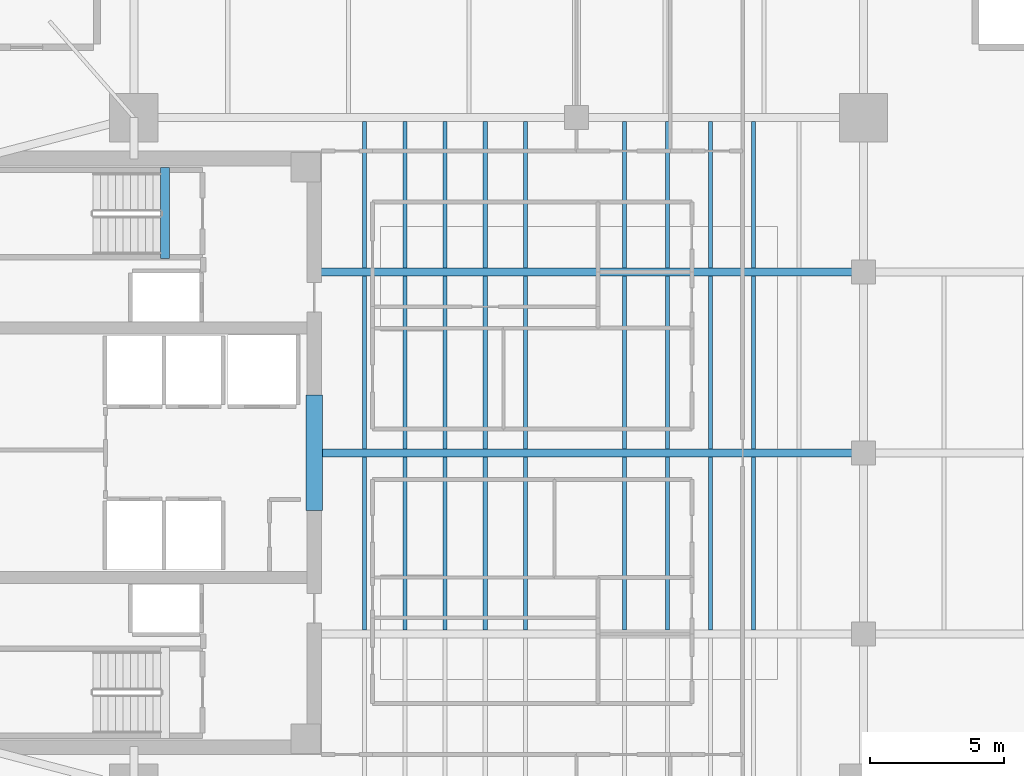
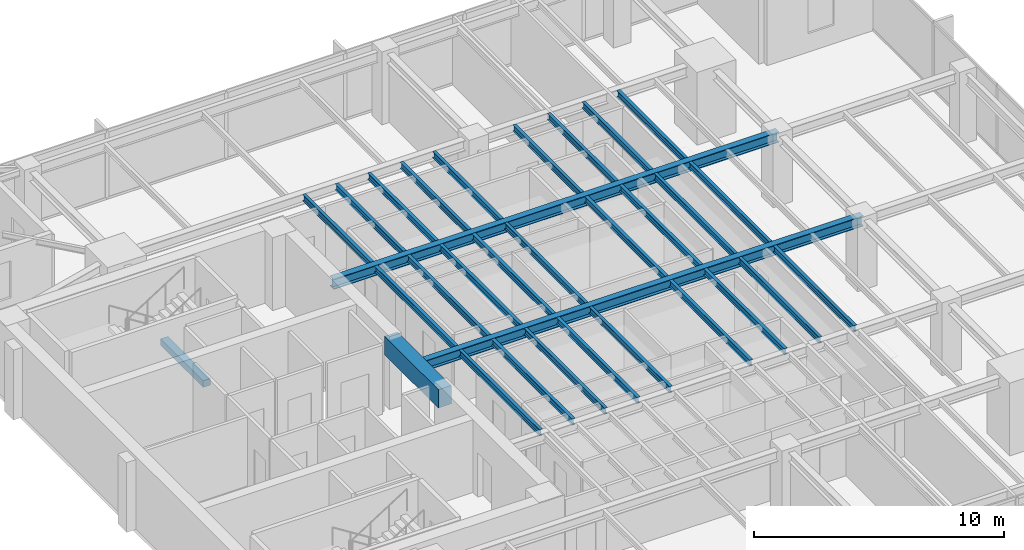
# One storey, part 3 of 14: 31 beams.
"""IFC4 building model written with IfcOpenShell, lengths in metres."""

import ifcopenshell
import ifcopenshell.guid

model = None  # the IFC model being written
_history = None  # IfcOwnerHistory: only IFC2X3 demands one
_inside = {}  # id of a spatial element -> (the spatial element, [elements in it])
_under = {}  # id of a project, library or spatial element -> (it, [spatial elements below it])
_declared = {}  # id of a project -> (the project, [libraries it declares])
_typed = {}  # id of a type object -> (the type object, [elements of that type])
_made_of = {}  # id of a material, layer set ... -> (it, [elements and type objects made of it])


def new_model(schema):
    """Start an empty IFC model of exactly this schema.

    Asked for "IFC4X3", IfcOpenShell would pick the latest addendum, in which some entities
    have other attributes; the version numbers below select the first issue.
    IFC2X3 requires an IfcOwnerHistory on every rooted entity: one is made here for all.
    """
    global model, _history
    if schema == "IFC4X3":
        model = ifcopenshell.file(schema_version=(4, 3, 0, 0))
    else:
        model = ifcopenshell.file(schema=schema)
    _inside.clear()
    _under.clear()
    _declared.clear()
    _typed.clear()
    _made_of.clear()
    _history = None
    if model.schema == "IFC2X3":
        org = make("IfcOrganization", Name="unknown")
        user = make(
            "IfcPersonAndOrganization",
            ThePerson=make("IfcPerson", FamilyName="unknown"),
            TheOrganization=org,
        )
        app = make(
            "IfcApplication",
            ApplicationDeveloper=org,
            Version="unknown",
            ApplicationFullName="unknown",
            ApplicationIdentifier="unknown",
        )
        _history = make(
            "IfcOwnerHistory",
            OwningUser=user,
            OwningApplication=app,
            ChangeAction="ADDED",
            CreationDate=0,
        )
    return model


def make(cls, **values):
    """One entity of the class cls with the attributes given. An attribute that is None is left unset."""
    return model.create_entity(
        cls, **{name: value for name, value in values.items() if value is not None}
    )


def rooted(cls, **values):
    """An entity with a GlobalId (a new one), such as an element, a storey or a relation."""
    return make(cls, GlobalId=ifcopenshell.guid.new(), OwnerHistory=_history, **values)


def si_unit(unit_type, name, prefix=None):
    """IfcSIUnit, for example si_unit("LENGTHUNIT", "METRE", prefix="MILLI")."""
    return make("IfcSIUnit", UnitType=unit_type, Prefix=prefix, Name=name)


def assignment(units):
    """IfcUnitAssignment: the units of a project."""
    return None if units is None else make("IfcUnitAssignment", Units=units)


def point(xyz):
    """IfcCartesianPoint."""
    return None if xyz is None else make("IfcCartesianPoint", Coordinates=xyz)


def direction(xyz):
    """IfcDirection."""
    return None if xyz is None else make("IfcDirection", DirectionRatios=xyz)


def frame(location, z_axis=None, x_axis=None):
    """IfcAxis2Placement3D, a coordinate frame: its origin and axes. An axis left out is left unset."""
    return make(
        "IfcAxis2Placement3D",
        Location=point(location),
        Axis=direction(z_axis),
        RefDirection=direction(x_axis),
    )


def frame_2d(location, x_axis=None):
    """IfcAxis2Placement2D, a coordinate frame in the plane: its origin and x axis."""
    return make(
        "IfcAxis2Placement2D", Location=point(location), RefDirection=direction(x_axis)
    )


def origin():
    """The frame at (0, 0, 0) with its axes left unset."""
    return frame((0.0, 0.0, 0.0))


def origin_2d():
    """The frame at (0, 0) in the plane with its x axis left unset."""
    return frame_2d((0.0, 0.0))


def place(relative_to, where):
    """IfcLocalPlacement: puts the frame where relative to a parent placement (None: the world)."""
    return make(
        "IfcLocalPlacement", PlacementRelTo=relative_to, RelativePlacement=where
    )


def context(
    kind, dimensions, precision=None, world=None, true_north=None, identifier=None
):
    """IfcGeometricRepresentationContext, for example the 3D "Model" context."""
    return make(
        "IfcGeometricRepresentationContext",
        ContextIdentifier=identifier,
        ContextType=kind,
        CoordinateSpaceDimension=dimensions,
        Precision=precision,
        WorldCoordinateSystem=world,
        TrueNorth=true_north,
    )


def subcontext(parent, identifier, kind, view, scale=None):
    """IfcGeometricRepresentationSubContext, for example "Body" below "Model"."""
    return make(
        "IfcGeometricRepresentationSubContext",
        ContextIdentifier=identifier,
        ContextType=kind,
        ParentContext=parent,
        TargetScale=scale,
        TargetView=view,
    )


def project(units=None, contexts=None):
    """IfcProject with its units and contexts."""
    return rooted(
        "IfcProject",
        Name="project",
        RepresentationContexts=contexts,
        UnitsInContext=assignment(units),
    )


def spatial(cls, under=None, at=None, **own):
    """A site, building, storey or space (cls), placed at a placement, below another one or the project."""
    s = rooted(cls, ObjectPlacement=at, **own)
    if under is not None:
        _under.setdefault(under.id(), (under, []))[1].append(s)
    return s


def profile(cls, at=None, kind="AREA", **sizes):
    """A parametric profile (cls). Its sizes go by their IFC names, for example OverallWidth=200.0."""
    return make(cls, ProfileType=kind, Position=at, **sizes)


def rectangle(**sizes):
    """IfcRectangleProfileDef."""
    return profile("IfcRectangleProfileDef", **sizes)


def i_section(**sizes):
    """IfcIShapeProfileDef."""
    return profile("IfcIShapeProfileDef", **sizes)


def extrude(swept, where, along, depth):
    """IfcExtrudedAreaSolid: the profile swept, set in the frame where, extruded along a direction by depth."""
    return make(
        "IfcExtrudedAreaSolid",
        SweptArea=swept,
        Position=where,
        ExtrudedDirection=direction(along),
        Depth=depth,
    )


def shape(context_of_items, identifier, shape_type, items):
    """IfcShapeRepresentation: the items that make up one representation, for example the "Body"."""
    return make(
        "IfcShapeRepresentation",
        ContextOfItems=context_of_items,
        RepresentationIdentifier=identifier,
        RepresentationType=shape_type,
        Items=items,
    )


def material(Name=None, Category=None):
    """IfcMaterial."""
    return make("IfcMaterial", Name=Name, Category=Category)


def material_profile(
    of_material, cross_section, Name=None, Category=None, Priority=None
):
    """IfcMaterialProfile: a cross section and its material."""
    return make(
        "IfcMaterialProfile",
        Name=Name,
        Material=of_material,
        Profile=cross_section,
        Priority=Priority,
        Category=Category,
    )


def profile_set(profiles, Name=None, composite=None):
    """IfcMaterialProfileSet."""
    return make(
        "IfcMaterialProfileSet",
        Name=Name,
        MaterialProfiles=profiles,
        CompositeProfile=composite,
    )


def made_of(thing, what):
    """Note that an element or type object is made of a material, layer set ...; save() writes the relation."""
    if what is not None:
        _made_of.setdefault(what.id(), (what, []))[1].append(thing)
    return thing


def type_object(cls, material=None, **own):
    """A type object (cls), such as IfcWallType, which elements share."""
    return made_of(rooted(cls, **own), material)


def element(
    cls,
    number,
    at=None,
    inside=None,
    cuts=None,
    type_object=None,
    material=None,
    context=None,
    identifier="Body",
    shape_type=None,
    held_by="IfcProductDefinitionShape",
    body=None,
    shapes=None,
    **own,
):
    """One element of the class cls, such as IfcWall. Its Tag is "e" and its number.

    at: its placement. inside: the storey or other place that contains it. cuts: it is an
    opening in that element (IfcRelVoidsElement). A single representation is given by context,
    identifier, shape_type and body (its items); several are given by shapes. held_by: the class
    of the entity that holds the representations. save() writes the other relations.
    """
    e = rooted(cls, Tag="e%d" % number, ObjectPlacement=at, **own)
    if body is not None:
        shapes = [shape(context, identifier, shape_type, body)]
    if shapes is not None:
        e.Representation = make(held_by, Representations=shapes)
    if inside is not None:
        _inside.setdefault(inside.id(), (inside, []))[1].append(e)
    if cuts is not None:
        rooted(
            "IfcRelVoidsElement", RelatingBuildingElement=cuts, RelatedOpeningElement=e
        )
    if type_object is not None:
        _typed.setdefault(type_object.id(), (type_object, []))[1].append(e)
    return made_of(e, material)


def aggregate(whole, parts):
    """IfcRelAggregates: a whole, such as a stair, and the parts it consists of."""
    return rooted("IfcRelAggregates", RelatingObject=whole, RelatedObjects=parts)


def save(model, path):
    """Write the relations noted so far, then the file.

    IfcRelAggregates (storeys below a building ...), IfcRelContainedInSpatialStructure (elements
    in a storey), IfcRelDefinesByType, IfcRelAssociatesMaterial and IfcRelDeclares: one each for
    every whole, place, type object, material and project.
    """
    for whole, parts in _under.values():
        aggregate(whole, parts)
    for where, things in _inside.values():
        rooted(
            "IfcRelContainedInSpatialStructure",
            RelatedElements=things,
            RelatingStructure=where,
        )
    for kind, things in _typed.values():
        rooted("IfcRelDefinesByType", RelatedObjects=things, RelatingType=kind)
    for what, things in _made_of.values():
        rooted("IfcRelAssociatesMaterial", RelatedObjects=things, RelatingMaterial=what)
    for by, libraries in _declared.values():
        rooted("IfcRelDeclares", RelatingContext=by, RelatedDefinitions=libraries)
    model.write(path)


model = new_model("IFC4")

# Units and contexts
model_context = context("Model", 3, precision=1e-05, world=origin(), true_north=direction((0.0, 1.0)))
body_context = subcontext(model_context, "Body", "Model", "MODEL_VIEW")
ifc_project = project(units=[si_unit("LENGTHUNIT", "METRE"), si_unit("AREAUNIT", "SQUARE_METRE"), si_unit("VOLUMEUNIT", "CUBIC_METRE"), si_unit("PLANEANGLEUNIT", "RADIAN"), si_unit("MASSUNIT", "GRAM", prefix="KILO")], contexts=[model_context])

# Site, building, storey
site_placement = place(None, origin())
site = spatial("IfcSite", under=ifc_project, at=site_placement, CompositionType="ELEMENT")
building_placement = place(site_placement, origin())
building = spatial("IfcBuilding", under=site, at=building_placement, Name="Kinhvarn Gate Tower", CompositionType="ELEMENT")
storey_placement = place(building_placement, frame((0.0, 0.0, 212.89990234375)))
storey = spatial("IfcBuildingStorey", under=building, at=storey_placement, Name="L56", CompositionType="ELEMENT", Elevation=212.89990234375)

# Beams
ifc_material_1 = material(Name="Concrete C60/75", Category="concrete")
ifc_material_profile_1 = material_profile(ifc_material_1, rectangle(XDim=0.60009765625, YDim=0.89990234375, at=origin_2d()), Name="RC 600x900")
ifc_profile_set_1 = profile_set([ifc_material_profile_1], Name="Concrete C60/75")
beam_type_1 = type_object("IfcBeamType", Name="BM-CB-900", PredefinedType="LINTEL", material=ifc_profile_set_1)
beam_1_placement = place(storey_placement, frame((17.72509765625, 23.10009765625, 2.920166015625), z_axis=(0.0, 1.0, 0.0), x_axis=(-1.0, 0.0, 0.0)))
element("IfcBeam", 1, at=beam_1_placement, inside=storey, type_object=beam_type_1, Name="Core East Portal Coupling Beam L56", PredefinedType="LINTEL", context=body_context, shape_type="SweptSolid", body=[
    extrude(rectangle(XDim=0.60009765625, YDim=0.89990234375, at=origin_2d()), origin(), (0.0, 0.0, 1.0), 4.2998046875),
])
ifc_material_2 = material(Name="Concrete C50/60", Category="concrete")
ifc_material_profile_2 = material_profile(ifc_material_2, rectangle(XDim=0.340087890625, YDim=0.320068359375, at=origin_2d()), Name="RC 340x320")
ifc_profile_set_2 = profile_set([ifc_material_profile_2], Name="Concrete C50/60")
beam_type_2 = type_object("IfcBeamType", Name="BM-LND-500", PredefinedType="BEAM", material=ifc_profile_set_2)
beam_2_placement = place(storey_placement, frame((12.1650390625, 32.5, -0.159912109375), z_axis=(0.0, 1.0, 0.0), x_axis=(-1.0, 0.0, 0.0)))
element("IfcBeam", 2, at=beam_2_placement, inside=storey, type_object=beam_type_2, Name="Stair ST2 Landing Nosing Beam (L56)", PredefinedType="BEAM", context=body_context, shape_type="SweptSolid", body=[
    extrude(rectangle(XDim=0.340087890625, YDim=0.320068359375, at=origin_2d()), origin(), (0.0, 0.0, 1.0), 3.39990234375),
])
ifc_material_3 = material(Name="Steel S355", Category="steel")
ifc_material_profile_3 = material_profile(ifc_material_3, i_section(OverallWidth=0.300048828125, OverallDepth=0.5, WebThickness=0.014404296875, FlangeThickness=0.028076171875, at=origin_2d()), Name="HEB 500")
ifc_profile_set_3 = profile_set([ifc_material_profile_3], Name="Steel S355")
beam_type_3 = type_object("IfcBeamType", Name="STL-HEB500", PredefinedType="BEAM", material=ifc_profile_set_3)
beam_3_placement = place(storey_placement, frame((18.02490234375, 25.25, 3.1201171875), z_axis=(1.0, 0.0, 0.0), x_axis=(0.0, 1.0, 0.0)))
element("IfcBeam", 3, at=beam_3_placement, inside=storey, type_object=beam_type_3, Name="Floor Beam PG-14 (L56 EW1-Y25)", PredefinedType="BEAM", context=body_context, shape_type="SweptSolid", body=[
    extrude(i_section(OverallWidth=0.300048828125, OverallDepth=0.5, WebThickness=0.014404296875, FlangeThickness=0.028076171875, at=origin_2d()), origin(), (0.0, 0.0, 1.0), 20.175048828125),
])
beam_4_placement = place(storey_placement, frame((17.64990234375, 32.0, 3.1201171875), z_axis=(1.0, 0.0, 0.0), x_axis=(0.0, 1.0, 0.0)))
element("IfcBeam", 4, at=beam_4_placement, inside=storey, type_object=beam_type_3, Name="Floor Beam PG-14 (L56 EW1-Y32)", PredefinedType="BEAM", context=body_context, shape_type="SweptSolid", body=[
    extrude(i_section(OverallWidth=0.300048828125, OverallDepth=0.5, WebThickness=0.014404296875, FlangeThickness=0.028076171875, at=origin_2d()), origin(), (0.0, 0.0, 1.0), 20.550048828125),
])
ifc_material_profile_4 = material_profile(ifc_material_3, i_section(OverallWidth=0.14990234375, OverallDepth=0.300048828125, WebThickness=0.007080078125, FlangeThickness=0.0107421875, at=origin_2d()), Name="IPE 300")
ifc_profile_set_4 = profile_set([ifc_material_profile_4], Name="Steel S355")
beam_type_4 = type_object("IfcBeamType", Name="STL-IPE300", PredefinedType="JOIST", material=ifc_profile_set_4)
for number, where, z_axis, x_axis, name in (
    (5, (19.60009765625, 18.64990234375, 3.22021484375), (0.0, 1.0, 0.0), (-1.0, 0.0, 0.0), "Floor Joist SB-02 (L56 JC-X196-1)"),
    (6, (19.60009765625, 25.39990234375, 3.22021484375), (0.0, 1.0, 0.0), (-1.0, 0.0, 0.0), "Floor Joist SB-02 (L56 JC-X196-2)"),
):
    element("IfcBeam", number, at=place(storey_placement, frame(where, z_axis=z_axis, x_axis=x_axis)), inside=storey, type_object=beam_type_4, Name=name, PredefinedType="JOIST", context=body_context, shape_type="SweptSolid", body=[
        extrude(i_section(OverallWidth=0.14990234375, OverallDepth=0.300048828125, WebThickness=0.007080078125, FlangeThickness=0.0107421875, at=origin_2d()), origin(), (0.0, 0.0, 1.0), 6.4501953125),
    ])
beam_5_placement = place(storey_placement, frame((19.60009765625, 32.14990234375, 3.22021484375), z_axis=(0.0, 1.0, 0.0), x_axis=(-1.0, 0.0, 0.0)))
element("IfcBeam", 7, at=beam_5_placement, inside=storey, type_object=beam_type_4, Name="Floor Joist SB-02 (L56 JC-X196-3)", PredefinedType="JOIST", context=body_context, shape_type="SweptSolid", body=[
    extrude(i_section(OverallWidth=0.14990234375, OverallDepth=0.300048828125, WebThickness=0.007080078125, FlangeThickness=0.0107421875, at=origin_2d()), origin(), (0.0, 0.0, 1.0), 5.4501953125),
])
for number, where, z_axis, x_axis, name in (
    (8, (21.10009765625, 18.64990234375, 3.22021484375), (0.0, 1.0, 0.0), (-1.0, 0.0, 0.0), "Floor Joist SB-02 (L56 JC-X211-1)"),
    (9, (21.10009765625, 25.39990234375, 3.22021484375), (0.0, 1.0, 0.0), (-1.0, 0.0, 0.0), "Floor Joist SB-02 (L56 JC-X211-2)"),
):
    element("IfcBeam", number, at=place(storey_placement, frame(where, z_axis=z_axis, x_axis=x_axis)), inside=storey, type_object=beam_type_4, Name=name, PredefinedType="JOIST", context=body_context, shape_type="SweptSolid", body=[
        extrude(i_section(OverallWidth=0.14990234375, OverallDepth=0.300048828125, WebThickness=0.007080078125, FlangeThickness=0.0107421875, at=origin_2d()), origin(), (0.0, 0.0, 1.0), 6.4501953125),
    ])
beam_6_placement = place(storey_placement, frame((21.10009765625, 32.14990234375, 3.22021484375), z_axis=(0.0, 1.0, 0.0), x_axis=(-1.0, 0.0, 0.0)))
element("IfcBeam", 10, at=beam_6_placement, inside=storey, type_object=beam_type_4, Name="Floor Joist SB-02 (L56 JC-X211-3)", PredefinedType="JOIST", context=body_context, shape_type="SweptSolid", body=[
    extrude(i_section(OverallWidth=0.14990234375, OverallDepth=0.300048828125, WebThickness=0.007080078125, FlangeThickness=0.0107421875, at=origin_2d()), origin(), (0.0, 0.0, 1.0), 5.4501953125),
])
for number, where, z_axis, x_axis, name in (
    (11, (22.60009765625, 18.64990234375, 3.22021484375), (0.0, 1.0, 0.0), (-1.0, 0.0, 0.0), "Floor Joist SB-02 (L56 JC-X226-1)"),
    (12, (22.60009765625, 25.39990234375, 3.22021484375), (0.0, 1.0, 0.0), (-1.0, 0.0, 0.0), "Floor Joist SB-02 (L56 JC-X226-2)"),
):
    element("IfcBeam", number, at=place(storey_placement, frame(where, z_axis=z_axis, x_axis=x_axis)), inside=storey, type_object=beam_type_4, Name=name, PredefinedType="JOIST", context=body_context, shape_type="SweptSolid", body=[
        extrude(i_section(OverallWidth=0.14990234375, OverallDepth=0.300048828125, WebThickness=0.007080078125, FlangeThickness=0.0107421875, at=origin_2d()), origin(), (0.0, 0.0, 1.0), 6.4501953125),
    ])
beam_7_placement = place(storey_placement, frame((22.60009765625, 32.14990234375, 3.22021484375), z_axis=(0.0, 1.0, 0.0), x_axis=(-1.0, 0.0, 0.0)))
element("IfcBeam", 13, at=beam_7_placement, inside=storey, type_object=beam_type_4, Name="Floor Joist SB-02 (L56 JC-X226-3)", PredefinedType="JOIST", context=body_context, shape_type="SweptSolid", body=[
    extrude(i_section(OverallWidth=0.14990234375, OverallDepth=0.300048828125, WebThickness=0.007080078125, FlangeThickness=0.0107421875, at=origin_2d()), origin(), (0.0, 0.0, 1.0), 5.4501953125),
])
for number, where, z_axis, x_axis, name in (
    (14, (24.10009765625, 18.64990234375, 3.22021484375), (0.0, 1.0, 0.0), (-1.0, 0.0, 0.0), "Floor Joist SB-02 (L56 JC-X241-1)"),
    (15, (24.10009765625, 25.39990234375, 3.22021484375), (0.0, 1.0, 0.0), (-1.0, 0.0, 0.0), "Floor Joist SB-02 (L56 JC-X241-2)"),
):
    element("IfcBeam", number, at=place(storey_placement, frame(where, z_axis=z_axis, x_axis=x_axis)), inside=storey, type_object=beam_type_4, Name=name, PredefinedType="JOIST", context=body_context, shape_type="SweptSolid", body=[
        extrude(i_section(OverallWidth=0.14990234375, OverallDepth=0.300048828125, WebThickness=0.007080078125, FlangeThickness=0.0107421875, at=origin_2d()), origin(), (0.0, 0.0, 1.0), 6.4501953125),
    ])
beam_8_placement = place(storey_placement, frame((24.10009765625, 32.14990234375, 3.22021484375), z_axis=(0.0, 1.0, 0.0), x_axis=(-1.0, 0.0, 0.0)))
element("IfcBeam", 16, at=beam_8_placement, inside=storey, type_object=beam_type_4, Name="Floor Joist SB-02 (L56 JC-X241-3)", PredefinedType="JOIST", context=body_context, shape_type="SweptSolid", body=[
    extrude(i_section(OverallWidth=0.14990234375, OverallDepth=0.300048828125, WebThickness=0.007080078125, FlangeThickness=0.0107421875, at=origin_2d()), origin(), (0.0, 0.0, 1.0), 5.4501953125),
])
for number, where, z_axis, x_axis, name in (
    (17, (25.60009765625, 18.64990234375, 3.22021484375), (0.0, 1.0, 0.0), (-1.0, 0.0, 0.0), "Floor Joist SB-02 (L56 JC-X256-1)"),
    (18, (25.60009765625, 25.39990234375, 3.22021484375), (0.0, 1.0, 0.0), (-1.0, 0.0, 0.0), "Floor Joist SB-02 (L56 JC-X256-2)"),
):
    element("IfcBeam", number, at=place(storey_placement, frame(where, z_axis=z_axis, x_axis=x_axis)), inside=storey, type_object=beam_type_4, Name=name, PredefinedType="JOIST", context=body_context, shape_type="SweptSolid", body=[
        extrude(i_section(OverallWidth=0.14990234375, OverallDepth=0.300048828125, WebThickness=0.007080078125, FlangeThickness=0.0107421875, at=origin_2d()), origin(), (0.0, 0.0, 1.0), 6.4501953125),
    ])
beam_9_placement = place(storey_placement, frame((25.60009765625, 32.14990234375, 3.22021484375), z_axis=(0.0, 1.0, 0.0), x_axis=(-1.0, 0.0, 0.0)))
element("IfcBeam", 19, at=beam_9_placement, inside=storey, type_object=beam_type_4, Name="Floor Joist SB-02 (L56 JC-X256-3)", PredefinedType="JOIST", context=body_context, shape_type="SweptSolid", body=[
    extrude(i_section(OverallWidth=0.14990234375, OverallDepth=0.300048828125, WebThickness=0.007080078125, FlangeThickness=0.0107421875, at=origin_2d()), origin(), (0.0, 0.0, 1.0), 5.4501953125),
])
for number, where, z_axis, x_axis, name in (
    (20, (29.300048828125, 18.64990234375, 3.22021484375), (0.0, 1.0, 0.0), (-1.0, 0.0, 0.0), "Floor Joist SB-02 (L56 JC-X293-1)"),
    (21, (29.300048828125, 25.39990234375, 3.22021484375), (0.0, 1.0, 0.0), (-1.0, 0.0, 0.0), "Floor Joist SB-02 (L56 JC-X293-2)"),
):
    element("IfcBeam", number, at=place(storey_placement, frame(where, z_axis=z_axis, x_axis=x_axis)), inside=storey, type_object=beam_type_4, Name=name, PredefinedType="JOIST", context=body_context, shape_type="SweptSolid", body=[
        extrude(i_section(OverallWidth=0.14990234375, OverallDepth=0.300048828125, WebThickness=0.007080078125, FlangeThickness=0.0107421875, at=origin_2d()), origin(), (0.0, 0.0, 1.0), 6.4501953125),
    ])
beam_10_placement = place(storey_placement, frame((29.300048828125, 32.14990234375, 3.22021484375), z_axis=(0.0, 1.0, 0.0), x_axis=(-1.0, 0.0, 0.0)))
element("IfcBeam", 22, at=beam_10_placement, inside=storey, type_object=beam_type_4, Name="Floor Joist SB-02 (L56 JC-X293-3)", PredefinedType="JOIST", context=body_context, shape_type="SweptSolid", body=[
    extrude(i_section(OverallWidth=0.14990234375, OverallDepth=0.300048828125, WebThickness=0.007080078125, FlangeThickness=0.0107421875, at=origin_2d()), origin(), (0.0, 0.0, 1.0), 5.4501953125),
])
for number, where, z_axis, x_axis, name in (
    (23, (30.89990234375, 18.64990234375, 3.22021484375), (0.0, 1.0, 0.0), (-1.0, 0.0, 0.0), "Floor Joist SB-02 (L56 JC-X309-1)"),
    (24, (30.89990234375, 25.39990234375, 3.22021484375), (0.0, 1.0, 0.0), (-1.0, 0.0, 0.0), "Floor Joist SB-02 (L56 JC-X309-2)"),
):
    element("IfcBeam", number, at=place(storey_placement, frame(where, z_axis=z_axis, x_axis=x_axis)), inside=storey, type_object=beam_type_4, Name=name, PredefinedType="JOIST", context=body_context, shape_type="SweptSolid", body=[
        extrude(i_section(OverallWidth=0.14990234375, OverallDepth=0.300048828125, WebThickness=0.007080078125, FlangeThickness=0.0107421875, at=origin_2d()), origin(), (0.0, 0.0, 1.0), 6.4501953125),
    ])
beam_11_placement = place(storey_placement, frame((30.89990234375, 32.14990234375, 3.22021484375), z_axis=(0.0, 1.0, 0.0), x_axis=(-1.0, 0.0, 0.0)))
element("IfcBeam", 25, at=beam_11_placement, inside=storey, type_object=beam_type_4, Name="Floor Joist SB-02 (L56 JC-X309-3)", PredefinedType="JOIST", context=body_context, shape_type="SweptSolid", body=[
    extrude(i_section(OverallWidth=0.14990234375, OverallDepth=0.300048828125, WebThickness=0.007080078125, FlangeThickness=0.0107421875, at=origin_2d()), origin(), (0.0, 0.0, 1.0), 5.4501953125),
])
for number, where, z_axis, x_axis, name in (
    (26, (32.5, 18.64990234375, 3.22021484375), (0.0, 1.0, 0.0), (-1.0, 0.0, 0.0), "Floor Joist SB-02 (L56 JC-X325-1)"),
    (27, (32.5, 25.39990234375, 3.22021484375), (0.0, 1.0, 0.0), (-1.0, 0.0, 0.0), "Floor Joist SB-02 (L56 JC-X325-2)"),
):
    element("IfcBeam", number, at=place(storey_placement, frame(where, z_axis=z_axis, x_axis=x_axis)), inside=storey, type_object=beam_type_4, Name=name, PredefinedType="JOIST", context=body_context, shape_type="SweptSolid", body=[
        extrude(i_section(OverallWidth=0.14990234375, OverallDepth=0.300048828125, WebThickness=0.007080078125, FlangeThickness=0.0107421875, at=origin_2d()), origin(), (0.0, 0.0, 1.0), 6.4501953125),
    ])
beam_12_placement = place(storey_placement, frame((32.5, 32.14990234375, 3.22021484375), z_axis=(0.0, 1.0, 0.0), x_axis=(-1.0, 0.0, 0.0)))
element("IfcBeam", 28, at=beam_12_placement, inside=storey, type_object=beam_type_4, Name="Floor Joist SB-02 (L56 JC-X325-3)", PredefinedType="JOIST", context=body_context, shape_type="SweptSolid", body=[
    extrude(i_section(OverallWidth=0.14990234375, OverallDepth=0.300048828125, WebThickness=0.007080078125, FlangeThickness=0.0107421875, at=origin_2d()), origin(), (0.0, 0.0, 1.0), 5.4501953125),
])
for number, where, z_axis, x_axis, name in (
    (29, (34.10009765625, 18.64990234375, 3.22021484375), (0.0, 1.0, 0.0), (-1.0, 0.0, 0.0), "Floor Joist SB-02 (L56 JC-X341-1)"),
    (30, (34.10009765625, 25.39990234375, 3.22021484375), (0.0, 1.0, 0.0), (-1.0, 0.0, 0.0), "Floor Joist SB-02 (L56 JC-X341-2)"),
):
    element("IfcBeam", number, at=place(storey_placement, frame(where, z_axis=z_axis, x_axis=x_axis)), inside=storey, type_object=beam_type_4, Name=name, PredefinedType="JOIST", context=body_context, shape_type="SweptSolid", body=[
        extrude(i_section(OverallWidth=0.14990234375, OverallDepth=0.300048828125, WebThickness=0.007080078125, FlangeThickness=0.0107421875, at=origin_2d()), origin(), (0.0, 0.0, 1.0), 6.4501953125),
    ])
beam_13_placement = place(storey_placement, frame((34.10009765625, 32.14990234375, 3.22021484375), z_axis=(0.0, 1.0, 0.0), x_axis=(-1.0, 0.0, 0.0)))
element("IfcBeam", 31, at=beam_13_placement, inside=storey, type_object=beam_type_4, Name="Floor Joist SB-02 (L56 JC-X341-3)", PredefinedType="JOIST", context=body_context, shape_type="SweptSolid", body=[
    extrude(i_section(OverallWidth=0.14990234375, OverallDepth=0.300048828125, WebThickness=0.007080078125, FlangeThickness=0.0107421875, at=origin_2d()), origin(), (0.0, 0.0, 1.0), 5.4501953125),
])

save(model, "model.ifc")
